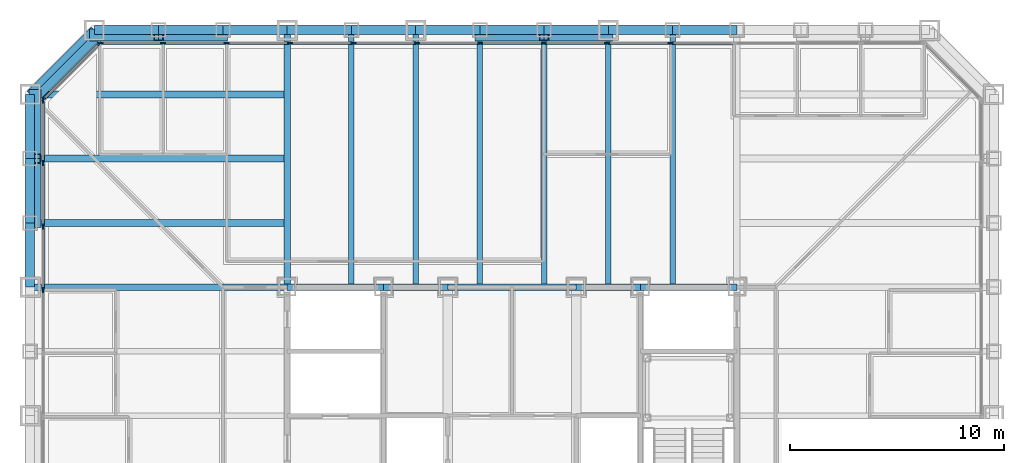
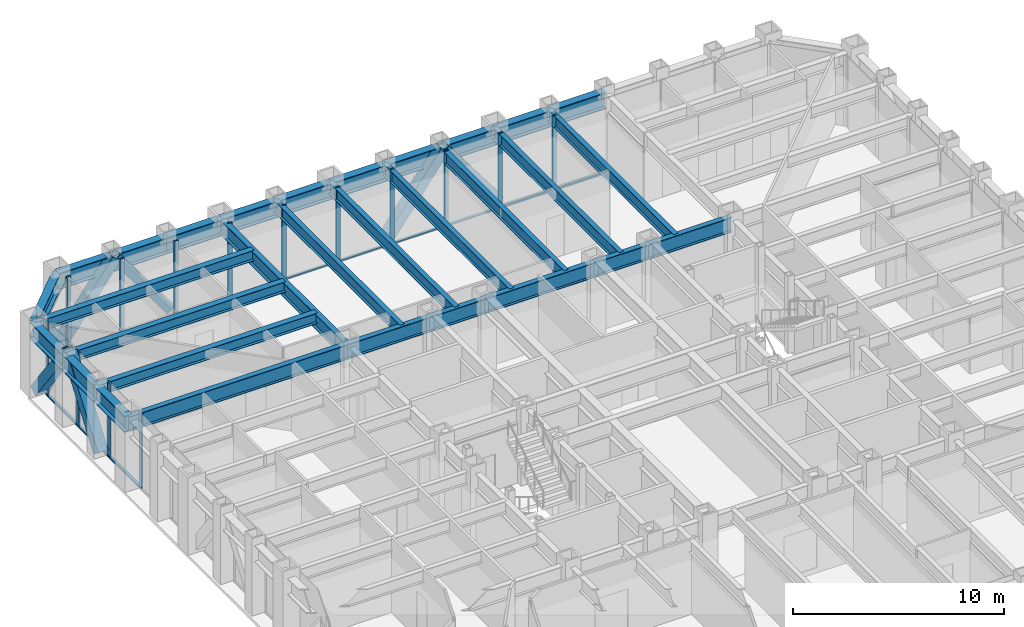
# One storey, part 5 of 17: 37 members, 30 beams, 3 elements without a shape of their own.
"""IFC4 building model written with IfcOpenShell, lengths in metres."""

from ifc_helpers import new_model, si_unit, direction, frame, origin, origin_2d, place, context, subcontext, project, spatial, rectangle, hollow_rectangle, i_section, extrude, material, layer, layer_set, material_profile, profile_set, type_object, element, aggregate, save


model = new_model("IFC4")

# Units and contexts
model_context = context("Model", 3, precision=1e-05, world=origin(), true_north=direction((0.0, 1.0)))
body_context = subcontext(model_context, "Body", "Model", "MODEL_VIEW")
ifc_project = project(units=[si_unit("LENGTHUNIT", "METRE"), si_unit("AREAUNIT", "SQUARE_METRE"), si_unit("VOLUMEUNIT", "CUBIC_METRE"), si_unit("PLANEANGLEUNIT", "RADIAN"), si_unit("MASSUNIT", "GRAM", prefix="KILO")], contexts=[model_context])

# Site, building, storey
site_placement = place(None, origin())
site = spatial("IfcSite", under=ifc_project, at=site_placement, CompositionType="ELEMENT")
building_placement = place(site_placement, origin())
building = spatial("IfcBuilding", under=site, at=building_placement, Name="Chuquiago Exchange Tower", CompositionType="ELEMENT")
storey_placement = place(building_placement, frame((0.0, 0.0, 64.800048828125)))
storey = spatial("IfcBuildingStorey", under=building, at=storey_placement, Name="L13", CompositionType="ELEMENT", Elevation=64.800048828125)

# Beams
ifc_material_1 = material(Name="Steel ASTM A992", Category="steel")
ifc_material_profile_1 = material_profile(ifc_material_1, i_section(OverallWidth=0.2919921875, OverallDepth=0.8583984375, WebThickness=0.01708984375, FlangeThickness=0.031005859375, at=origin_2d()), Name="W33X169")
ifc_profile_set_1 = profile_set([ifc_material_profile_1], Name="Steel ASTM A992")
beam_type_1 = type_object("IfcBeamType", Name="B3 W33X169", PredefinedType="BEAM", material=ifc_profile_set_1)
beam_1_placement = place(storey_placement, frame((12.0, 33.0, 3.610595703125), z_axis=(1.0, 0.0, 0.0), x_axis=(0.0, 1.0, 0.0)))
element("IfcBeam", 1, at=beam_1_placement, inside=storey, type_object=beam_type_1, Name="CB-L14-12_33-16.5_33", PredefinedType="BEAM", context=body_context, shape_type="SweptSolid", body=[
    extrude(i_section(OverallWidth=0.2919921875, OverallDepth=0.8583984375, WebThickness=0.01708984375, FlangeThickness=0.031005859375, at=origin_2d()), origin(), (0.0, 0.0, 1.0), 4.5),
])
beam_2_placement = place(storey_placement, frame((16.5, 33.0, 3.610595703125), z_axis=(1.0, 0.0, 0.0), x_axis=(0.0, 1.0, 0.0)))
element("IfcBeam", 2, at=beam_2_placement, inside=storey, type_object=beam_type_1, Name="CB-L14-16.5_33-19.5_33", PredefinedType="BEAM", context=body_context, shape_type="SweptSolid", body=[
    extrude(i_section(OverallWidth=0.2919921875, OverallDepth=0.8583984375, WebThickness=0.01708984375, FlangeThickness=0.031005859375, at=origin_2d()), origin(), (0.0, 0.0, 1.0), 3.0),
])
beam_3_placement = place(storey_placement, frame((19.5, 33.0, 3.610595703125), z_axis=(1.0, 0.0, 0.0), x_axis=(0.0, 1.0, 0.0)))
element("IfcBeam", 3, at=beam_3_placement, inside=storey, type_object=beam_type_1, Name="CB-L14-19.5_33-25.5_33", PredefinedType="BEAM", context=body_context, shape_type="SweptSolid", body=[
    extrude(i_section(OverallWidth=0.2919921875, OverallDepth=0.8583984375, WebThickness=0.01708984375, FlangeThickness=0.031005859375, at=origin_2d()), origin(), (0.0, 0.0, 1.0), 6.0),
])
beam_4_placement = place(storey_placement, frame((25.5, 33.0, 3.610595703125), z_axis=(1.0, 0.0, 0.0), x_axis=(0.0, 1.0, 0.0)))
element("IfcBeam", 4, at=beam_4_placement, inside=storey, type_object=beam_type_1, Name="CB-L14-25.5_33-28.5_33", PredefinedType="BEAM", context=body_context, shape_type="SweptSolid", body=[
    extrude(i_section(OverallWidth=0.2919921875, OverallDepth=0.8583984375, WebThickness=0.01708984375, FlangeThickness=0.031005859375, at=origin_2d()), origin(), (0.0, 0.0, 1.0), 3.0),
])
beam_5_placement = place(storey_placement, frame((28.5, 33.0, 3.610595703125), z_axis=(1.0, 0.0, 0.0), x_axis=(0.0, 1.0, 0.0)))
element("IfcBeam", 5, at=beam_5_placement, inside=storey, type_object=beam_type_1, Name="CB-L14-28.5_33-33_33", PredefinedType="BEAM", context=body_context, shape_type="SweptSolid", body=[
    extrude(i_section(OverallWidth=0.2919921875, OverallDepth=0.8583984375, WebThickness=0.01708984375, FlangeThickness=0.031005859375, at=origin_2d()), origin(), (0.0, 0.0, 1.0), 4.5),
])
ifc_material_2 = material(Name="Steel ASTM A992", Category="steel")
ifc_material_profile_2 = material_profile(ifc_material_2, i_section(OverallWidth=0.256591796875, OverallDepth=0.693359375, WebThickness=0.014404296875, FlangeThickness=0.023681640625, at=origin_2d()), Name="W27X114")
ifc_profile_set_2 = profile_set([ifc_material_profile_2], Name="Steel ASTM A992")
beam_type_2 = type_object("IfcBeamType", Name="B4 W27X114", PredefinedType="BEAM", material=ifc_profile_set_2)
for number, where, z_axis, x_axis, name in (
    (6, (15.0, 33.0, 3.693359375), (0.0, 1.0, 0.0), (-1.0, 0.0, 0.0), "FB-L14-infill-15_33-15_45-0"),
    (7, (18.0, 33.0, 3.693359375), (0.0, 1.0, 0.0), (-1.0, 0.0, 0.0), "FB-L14-infill-18_33-18_45-0"),
    (8, (21.0, 33.0, 3.693359375), (0.0, 1.0, 0.0), (-1.0, 0.0, 0.0), "FB-L14-infill-21_33-21_45-0"),
    (9, (24.0, 33.0, 3.693359375), (0.0, 1.0, 0.0), (-1.0, 0.0, 0.0), "FB-L14-infill-24_33-24_45-0"),
    (10, (27.0, 33.0, 3.693359375), (0.0, 1.0, 0.0), (-1.0, 0.0, 0.0), "FB-L14-infill-27_33-27_45-0"),
    (11, (30.0, 33.0, 3.693359375), (0.0, 1.0, 0.0), (-1.0, 0.0, 0.0), "FB-L14-infill-30_33-30_45-0"),
):
    element("IfcBeam", number, at=place(storey_placement, frame(where, z_axis=z_axis, x_axis=x_axis)), inside=storey, type_object=beam_type_2, Name=name, PredefinedType="BEAM", context=body_context, shape_type="SweptSolid", body=[
        extrude(i_section(OverallWidth=0.256591796875, OverallDepth=0.693359375, WebThickness=0.014404296875, FlangeThickness=0.023681640625, at=origin_2d()), origin(), (0.0, 0.0, 1.0), 12.0),
    ])
ifc_material_3 = material(Name="Steel ASTM A992", Category="steel")
ifc_material_profile_3 = material_profile(ifc_material_3, i_section(OverallWidth=0.3251953125, OverallDepth=0.6171875, WebThickness=0.013916015625, FlangeThickness=0.021484375, at=origin_2d()), Name="W24X117")
ifc_profile_set_3 = profile_set([ifc_material_profile_3], Name="Steel ASTM A992")
beam_type_3 = type_object("IfcBeamType", Name="B5 W24X117", PredefinedType="BEAM", material=ifc_profile_set_3)
for number, where, z_axis, x_axis, name in (
    (12, (12.0, 36.0, 3.7314453125), (-1.0, 0.0, 0.0), (0.0, -1.0, 0.0), "FB-L14-corner-12_36--0_36-0"),
    (13, (12.0, 39.0, 3.7314453125), (-1.0, 0.0, 0.0), (0.0, -1.0, 0.0), "FB-L14-corner-12_39--0_39-0"),
    (14, (12.0, 42.0, 3.7314453125), (-1.0, 0.0, 0.0), (0.0, -1.0, 0.0), "FB-L14-corner-12_42--0_42-0"),
):
    element("IfcBeam", number, at=place(storey_placement, frame(where, z_axis=z_axis, x_axis=x_axis)), inside=storey, type_object=beam_type_3, Name=name, PredefinedType="BEAM", context=body_context, shape_type="SweptSolid", body=[
        extrude(i_section(OverallWidth=0.3251953125, OverallDepth=0.6171875, WebThickness=0.013916015625, FlangeThickness=0.021484375, at=origin_2d()), origin(), (0.0, 0.0, 1.0), 12.0),
    ])

# Curtain wall, members
ifc_material_4 = material(Name="Aluminium curtain wall system", Category="aluminium")
ifc_layer_1 = layer(ifc_material_4, 0.25)
ifc_layer_set_1 = layer_set([ifc_layer_1], Name="CW1 trading floor curtain wall")
curtain_wall_type_1 = type_object("IfcCurtainWallType", Name="CW1 trading floor curtain wall", PredefinedType="NOTDEFINED", material=ifc_layer_set_1)
curtain_wall_1_placement = place(storey_placement, origin())
curtain_wall_1 = element("IfcCurtainWall", 15, at=curtain_wall_1_placement, inside=storey, type_object=curtain_wall_type_1, Name="CW1 curtain wall L13", PredefinedType="NOTDEFINED")
ifc_material_5 = material(Name="Aluminium mullion, pale anodised", Category="aluminium")
ifc_material_profile_4 = material_profile(ifc_material_5, rectangle(XDim=0.074951171875, YDim=0.25, at=origin_2d()), Name="AL 75x250")
ifc_profile_set_4 = profile_set([ifc_material_profile_4], Name="Aluminium mullion, pale anodised")
member_type_1 = type_object("IfcMemberType", Name="CW1-M mullion 75x250", PredefinedType="MULLION", material=ifc_profile_set_4)
member_1_placement = place(storey_placement, frame((29.904541015625, 44.39990234375, -0.300048828125), z_axis=(0.0, 0.0, 1.0), x_axis=(0.0, -1.0, 0.0)))
member_1 = element("IfcMember", 16, at=member_1_placement, type_object=member_type_1, Name="CW1 mullion 5", PredefinedType="MULLION", context=body_context, shape_type="SweptSolid", body=[
    extrude(rectangle(XDim=0.074951171875, YDim=0.25, at=origin_2d()), origin(), (0.0, 0.0, 1.0), 4.340087890625),
])
member_2_placement = place(storey_placement, frame((26.942626953125, 44.39990234375, -0.300048828125), z_axis=(0.0, 0.0, 1.0), x_axis=(0.0, -1.0, 0.0)))
member_2 = element("IfcMember", 17, at=member_2_placement, type_object=member_type_1, Name="CW1 mullion 6", PredefinedType="MULLION", context=body_context, shape_type="SweptSolid", body=[
    extrude(rectangle(XDim=0.074951171875, YDim=0.25, at=origin_2d()), origin(), (0.0, 0.0, 1.0), 4.340087890625),
])
member_3_placement = place(storey_placement, frame((23.98095703125, 44.39990234375, -0.300048828125), z_axis=(0.0, 0.0, 1.0), x_axis=(0.0, -1.0, 0.0)))
member_3 = element("IfcMember", 18, at=member_3_placement, type_object=member_type_1, Name="CW1 mullion 7", PredefinedType="MULLION", context=body_context, shape_type="SweptSolid", body=[
    extrude(rectangle(XDim=0.074951171875, YDim=0.25, at=origin_2d()), origin(), (0.0, 0.0, 1.0), 4.340087890625),
])
member_4_placement = place(storey_placement, frame((21.01904296875, 44.39990234375, -0.300048828125), z_axis=(0.0, 0.0, 1.0), x_axis=(0.0, -1.0, 0.0)))
member_4 = element("IfcMember", 19, at=member_4_placement, type_object=member_type_1, Name="CW1 mullion 8", PredefinedType="MULLION", context=body_context, shape_type="SweptSolid", body=[
    extrude(rectangle(XDim=0.074951171875, YDim=0.25, at=origin_2d()), origin(), (0.0, 0.0, 1.0), 4.340087890625),
])
member_5_placement = place(storey_placement, frame((18.057373046875, 44.39990234375, -0.300048828125), z_axis=(0.0, 0.0, 1.0), x_axis=(0.0, -1.0, 0.0)))
member_5 = element("IfcMember", 20, at=member_5_placement, type_object=member_type_1, Name="CW1 mullion 9", PredefinedType="MULLION", context=body_context, shape_type="SweptSolid", body=[
    extrude(rectangle(XDim=0.074951171875, YDim=0.25, at=origin_2d()), origin(), (0.0, 0.0, 1.0), 4.340087890625),
])
member_6_placement = place(storey_placement, frame((15.095458984375, 44.39990234375, -0.300048828125), z_axis=(0.0, 0.0, 1.0), x_axis=(0.0, -1.0, 0.0)))
member_6 = element("IfcMember", 21, at=member_6_placement, type_object=member_type_1, Name="CW1 mullion 10", PredefinedType="MULLION", context=body_context, shape_type="SweptSolid", body=[
    extrude(rectangle(XDim=0.074951171875, YDim=0.25, at=origin_2d()), origin(), (0.0, 0.0, 1.0), 4.340087890625),
])
member_7_placement = place(storey_placement, frame((12.1337890625, 44.39990234375, -0.300048828125), z_axis=(0.0, 0.0, 1.0), x_axis=(0.0, -1.0, 0.0)))
member_7 = element("IfcMember", 22, at=member_7_placement, type_object=member_type_1, Name="CW1 mullion 11", PredefinedType="MULLION", context=body_context, shape_type="SweptSolid", body=[
    extrude(rectangle(XDim=0.074951171875, YDim=0.25, at=origin_2d()), origin(), (0.0, 0.0, 1.0), 4.340087890625),
])
member_8_placement = place(storey_placement, frame((9.172119140625, 44.39990234375, -0.300048828125), z_axis=(0.0, 0.0, 1.0), x_axis=(0.0, -1.0, 0.0)))
member_8 = element("IfcMember", 23, at=member_8_placement, type_object=member_type_1, Name="CW1 mullion 12", PredefinedType="MULLION", context=body_context, shape_type="SweptSolid", body=[
    extrude(rectangle(XDim=0.074951171875, YDim=0.25, at=origin_2d()), origin(), (0.0, 0.0, 1.0), 4.340087890625),
])
member_9_placement = place(storey_placement, frame((6.210205078125, 44.39990234375, -0.300048828125), z_axis=(0.0, 0.0, 1.0), x_axis=(0.0, -1.0, 0.0)))
member_9 = element("IfcMember", 24, at=member_9_placement, type_object=member_type_1, Name="CW1 mullion 13", PredefinedType="MULLION", context=body_context, shape_type="SweptSolid", body=[
    extrude(rectangle(XDim=0.074951171875, YDim=0.25, at=origin_2d()), origin(), (0.0, 0.0, 1.0), 4.340087890625),
])
member_10_placement = place(storey_placement, frame((3.285888671875, 44.39990234375, -0.300048828125), z_axis=(0.0, 0.0, 1.0), x_axis=(0.0, -1.0, 0.0)))
member_10 = element("IfcMember", 25, at=member_10_placement, type_object=member_type_1, Name="CW1 mullion 14", PredefinedType="MULLION", context=body_context, shape_type="SweptSolid", body=[
    extrude(rectangle(XDim=0.074951171875, YDim=0.25, at=origin_2d()), origin(), (0.0, 0.0, 1.0), 4.340087890625),
])

curtain_wall_2_placement = place(storey_placement, origin())
curtain_wall_2 = element("IfcCurtainWall", 26, at=curtain_wall_2_placement, inside=storey, type_object=curtain_wall_type_1, Name="CW1 curtain wall L13", PredefinedType="NOTDEFINED")
member_11_placement = place(storey_placement, frame((0.60009765625, 41.714111328125, -0.300048828125), z_axis=(0.0, 0.0, 1.0), x_axis=(1.0, 0.0, 0.0)))
member_11 = element("IfcMember", 27, at=member_11_placement, type_object=member_type_1, Name="CW1 mullion 1", PredefinedType="MULLION", context=body_context, shape_type="SweptSolid", body=[
    extrude(rectangle(XDim=0.074951171875, YDim=0.25, at=origin_2d()), origin(), (0.0, 0.0, 1.0), 4.340087890625),
])
member_12_placement = place(storey_placement, frame((0.60009765625, 38.789794921875, -0.300048828125), z_axis=(0.0, 0.0, 1.0), x_axis=(1.0, 0.0, 0.0)))
member_12 = element("IfcMember", 28, at=member_12_placement, type_object=member_type_1, Name="CW1 mullion 2", PredefinedType="MULLION", context=body_context, shape_type="SweptSolid", body=[
    extrude(rectangle(XDim=0.074951171875, YDim=0.25, at=origin_2d()), origin(), (0.0, 0.0, 1.0), 4.340087890625),
])
member_13_placement = place(storey_placement, frame((0.60009765625, 35.827880859375, -0.300048828125), z_axis=(0.0, 0.0, 1.0), x_axis=(1.0, 0.0, 0.0)))
member_13 = element("IfcMember", 29, at=member_13_placement, type_object=member_type_1, Name="CW1 mullion 3", PredefinedType="MULLION", context=body_context, shape_type="SweptSolid", body=[
    extrude(rectangle(XDim=0.074951171875, YDim=0.25, at=origin_2d()), origin(), (0.0, 0.0, 1.0), 4.340087890625),
])
member_14_placement = place(storey_placement, frame((0.60009765625, 32.8662109375, -0.300048828125), z_axis=(0.0, 0.0, 1.0), x_axis=(1.0, 0.0, 0.0)))
member_14 = element("IfcMember", 30, at=member_14_placement, type_object=member_type_1, Name="CW1 mullion 4", PredefinedType="MULLION", context=body_context, shape_type="SweptSolid", body=[
    extrude(rectangle(XDim=0.074951171875, YDim=0.25, at=origin_2d()), origin(), (0.0, 0.0, 1.0), 4.340087890625),
])

# Member
ifc_material_6 = material(Name="Aluminium transom, pale anodised", Category="aluminium")
ifc_material_profile_5 = material_profile(ifc_material_6, rectangle(XDim=0.14990234375, YDim=0.074951171875, at=origin_2d()), Name="AL 150x75")
ifc_profile_set_5 = profile_set([ifc_material_profile_5], Name="Aluminium transom, pale anodised")
member_type_2 = type_object("IfcMemberType", Name="CW1-T transom 75x150", PredefinedType="MULLION", material=ifc_profile_set_5)
member_15_placement = place(storey_placement, frame((32.82861328125, 44.39990234375, -0.262451171875), z_axis=(-1.0, 0.0, 0.0), x_axis=(0.0, -1.0, 0.0)))
member_15 = element("IfcMember", 31, at=member_15_placement, type_object=member_type_2, Name="CW1 transom 4.1", PredefinedType="MULLION", context=body_context, shape_type="SweptSolid", body=[
    extrude(rectangle(XDim=0.14990234375, YDim=0.074951171875, at=origin_2d()), origin(), (0.0, 0.0, 1.0), 2.88671875),
])

member_16_placement = place(storey_placement, frame((29.866943359375, 44.39990234375, -0.262451171875), z_axis=(-1.0, 0.0, 0.0), x_axis=(0.0, -1.0, 0.0)))
member_16 = element("IfcMember", 32, at=member_16_placement, type_object=member_type_2, Name="CW1 transom 5.1", PredefinedType="MULLION", context=body_context, shape_type="SweptSolid", body=[
    extrude(rectangle(XDim=0.14990234375, YDim=0.074951171875, at=origin_2d()), origin(), (0.0, 0.0, 1.0), 2.88671875),
])

member_17_placement = place(storey_placement, frame((26.9052734375, 44.39990234375, -0.262451171875), z_axis=(-1.0, 0.0, 0.0), x_axis=(0.0, -1.0, 0.0)))
member_17 = element("IfcMember", 33, at=member_17_placement, type_object=member_type_2, Name="CW1 transom 6.1", PredefinedType="MULLION", context=body_context, shape_type="SweptSolid", body=[
    extrude(rectangle(XDim=0.14990234375, YDim=0.074951171875, at=origin_2d()), origin(), (0.0, 0.0, 1.0), 2.886962890625),
])

member_18_placement = place(storey_placement, frame((23.943359375, 44.39990234375, -0.262451171875), z_axis=(-1.0, 0.0, 0.0), x_axis=(0.0, -1.0, 0.0)))
member_18 = element("IfcMember", 34, at=member_18_placement, type_object=member_type_2, Name="CW1 transom 7.1", PredefinedType="MULLION", context=body_context, shape_type="SweptSolid", body=[
    extrude(rectangle(XDim=0.14990234375, YDim=0.074951171875, at=origin_2d()), origin(), (0.0, 0.0, 1.0), 2.88671875),
])

member_19_placement = place(storey_placement, frame((20.981689453125, 44.39990234375, -0.262451171875), z_axis=(-1.0, 0.0, 0.0), x_axis=(0.0, -1.0, 0.0)))
member_19 = element("IfcMember", 35, at=member_19_placement, type_object=member_type_2, Name="CW1 transom 8.1", PredefinedType="MULLION", context=body_context, shape_type="SweptSolid", body=[
    extrude(rectangle(XDim=0.14990234375, YDim=0.074951171875, at=origin_2d()), origin(), (0.0, 0.0, 1.0), 2.886962890625),
])

member_20_placement = place(storey_placement, frame((18.019775390625, 44.39990234375, -0.262451171875), z_axis=(-1.0, 0.0, 0.0), x_axis=(0.0, -1.0, 0.0)))
member_20 = element("IfcMember", 36, at=member_20_placement, type_object=member_type_2, Name="CW1 transom 9.1", PredefinedType="MULLION", context=body_context, shape_type="SweptSolid", body=[
    extrude(rectangle(XDim=0.14990234375, YDim=0.074951171875, at=origin_2d()), origin(), (0.0, 0.0, 1.0), 2.88671875),
])

member_21_placement = place(storey_placement, frame((15.05810546875, 44.39990234375, -0.262451171875), z_axis=(-1.0, 0.0, 0.0), x_axis=(0.0, -1.0, 0.0)))
member_21 = element("IfcMember", 37, at=member_21_placement, type_object=member_type_2, Name="CW1 transom 10.1", PredefinedType="MULLION", context=body_context, shape_type="SweptSolid", body=[
    extrude(rectangle(XDim=0.14990234375, YDim=0.074951171875, at=origin_2d()), origin(), (0.0, 0.0, 1.0), 2.88671875),
])

member_22_placement = place(storey_placement, frame((12.09619140625, 44.39990234375, -0.262451171875), z_axis=(-1.0, 0.0, 0.0), x_axis=(0.0, -1.0, 0.0)))
member_22 = element("IfcMember", 38, at=member_22_placement, type_object=member_type_2, Name="CW1 transom 11.1", PredefinedType="MULLION", context=body_context, shape_type="SweptSolid", body=[
    extrude(rectangle(XDim=0.14990234375, YDim=0.074951171875, at=origin_2d()), origin(), (0.0, 0.0, 1.0), 2.88671875),
])

member_23_placement = place(storey_placement, frame((9.134521484375, 44.39990234375, -0.262451171875), z_axis=(-1.0, 0.0, 0.0), x_axis=(0.0, -1.0, 0.0)))
member_23 = element("IfcMember", 39, at=member_23_placement, type_object=member_type_2, Name="CW1 transom 12.1", PredefinedType="MULLION", context=body_context, shape_type="SweptSolid", body=[
    extrude(rectangle(XDim=0.14990234375, YDim=0.074951171875, at=origin_2d()), origin(), (0.0, 0.0, 1.0), 2.88671875),
])

member_24_placement = place(storey_placement, frame((6.1728515625, 44.39990234375, -0.262451171875), z_axis=(-1.0, 0.0, 0.0), x_axis=(0.0, -1.0, 0.0)))
member_24 = element("IfcMember", 40, at=member_24_placement, type_object=member_type_2, Name="CW1 transom 13.1", PredefinedType="MULLION", context=body_context, shape_type="SweptSolid", body=[
    extrude(rectangle(XDim=0.14990234375, YDim=0.074951171875, at=origin_2d()), origin(), (0.0, 0.0, 1.0), 2.849365234375),
])

aggregate(curtain_wall_1, [member_1, member_2, member_3, member_4, member_5, member_6, member_7, member_8, member_9, member_10, member_15, member_16, member_17, member_18, member_19, member_20, member_21, member_22, member_23, member_24])

member_25_placement = place(storey_placement, frame((0.60009765625, 41.676513671875, -0.262451171875), z_axis=(0.0, -1.0, 0.0), x_axis=(1.0, 0.0, 0.0)))
member_25 = element("IfcMember", 41, at=member_25_placement, type_object=member_type_2, Name="CW1 transom 1.1", PredefinedType="MULLION", context=body_context, shape_type="SweptSolid", body=[
    extrude(rectangle(XDim=0.14990234375, YDim=0.074951171875, at=origin_2d()), origin(), (0.0, 0.0, 1.0), 2.849365234375),
])

member_26_placement = place(storey_placement, frame((0.60009765625, 38.752197265625, -0.262451171875), z_axis=(0.0, -1.0, 0.0), x_axis=(1.0, 0.0, 0.0)))
member_26 = element("IfcMember", 42, at=member_26_placement, type_object=member_type_2, Name="CW1 transom 2.1", PredefinedType="MULLION", context=body_context, shape_type="SweptSolid", body=[
    extrude(rectangle(XDim=0.14990234375, YDim=0.074951171875, at=origin_2d()), origin(), (0.0, 0.0, 1.0), 2.88671875),
])

member_27_placement = place(storey_placement, frame((0.60009765625, 35.79052734375, -0.262451171875), z_axis=(0.0, -1.0, 0.0), x_axis=(1.0, 0.0, 0.0)))
member_27 = element("IfcMember", 43, at=member_27_placement, type_object=member_type_2, Name="CW1 transom 3.1", PredefinedType="MULLION", context=body_context, shape_type="SweptSolid", body=[
    extrude(rectangle(XDim=0.14990234375, YDim=0.074951171875, at=origin_2d()), origin(), (0.0, 0.0, 1.0), 2.88671875),
])

aggregate(curtain_wall_2, [member_11, member_12, member_13, member_14, member_25, member_26, member_27])

# Curtain wall, members
ifc_material_7 = material(Name="Aluminium curtain wall system", Category="aluminium")
ifc_layer_2 = layer(ifc_material_7, 0.199951171875)
ifc_layer_set_2 = layer_set([ifc_layer_2], Name="CW3 facet curtain wall")
curtain_wall_type_2 = type_object("IfcCurtainWallType", Name="CW3 facet curtain wall", PredefinedType="NOTDEFINED", material=ifc_layer_set_2)
curtain_wall_3_placement = place(storey_placement, origin())
curtain_wall_3 = element("IfcCurtainWall", 44, at=curtain_wall_3_placement, inside=storey, type_object=curtain_wall_type_2, Name="CW3 curtain wall L13", PredefinedType="NOTDEFINED")
ifc_material_8 = material(Name="Aluminium mullion, pale anodised", Category="aluminium")
ifc_material_profile_6 = material_profile(ifc_material_8, rectangle(XDim=0.06494140625, YDim=0.199951171875, at=origin_2d()), Name="AL 65x200")
ifc_profile_set_6 = profile_set([ifc_material_profile_6], Name="Aluminium mullion, pale anodised")
member_type_3 = type_object("IfcMemberType", Name="CW3-M mullion 65x200", PredefinedType="MULLION", material=ifc_profile_set_6)
member_28_placement = place(storey_placement, frame((3.2255859375, 44.376953125, -0.300048828125), z_axis=(0.0, 0.0, 1.0), x_axis=(0.707106781187, -0.707106781187, 0.0)))
member_28 = element("IfcMember", 45, at=member_28_placement, type_object=member_type_3, Name="CW3 mullion 1", PredefinedType="MULLION", context=body_context, shape_type="SweptSolid", body=[
    extrude(rectangle(XDim=0.06494140625, YDim=0.199951171875, at=origin_2d()), origin(), (0.0, 0.0, 1.0), 4.340087890625),
])
member_29_placement = place(storey_placement, frame((0.623046875, 41.7744140625, -0.300048828125), z_axis=(0.0, 0.0, 1.0), x_axis=(0.707106781187, -0.707106781187, 0.0)))
member_29 = element("IfcMember", 46, at=member_29_placement, type_object=member_type_3, Name="CW3 mullion 2", PredefinedType="MULLION", context=body_context, shape_type="SweptSolid", body=[
    extrude(rectangle(XDim=0.06494140625, YDim=0.199951171875, at=origin_2d()), origin(), (0.0, 0.0, 1.0), 4.340087890625),
])
ifc_material_9 = material(Name="Aluminium transom, pale anodised", Category="aluminium")
ifc_material_profile_7 = material_profile(ifc_material_9, rectangle(XDim=0.139892578125, YDim=0.06494140625, at=origin_2d()), Name="AL 140x65")
ifc_profile_set_7 = profile_set([ifc_material_profile_7], Name="Aluminium transom, pale anodised")
member_type_4 = type_object("IfcMemberType", Name="CW3-T transom 65x140", PredefinedType="MULLION", material=ifc_profile_set_7)
member_30_placement = place(storey_placement, frame((3.20263671875, 44.35400390625, -0.267578125), z_axis=(-0.707106781187, -0.707106781187, 0.0), x_axis=(0.707106781187, -0.707106781187, 0.0)))
member_30 = element("IfcMember", 47, at=member_30_placement, type_object=member_type_4, Name="CW3 transom 1.1", PredefinedType="MULLION", context=body_context, shape_type="SweptSolid", body=[
    extrude(rectangle(XDim=0.139892578125, YDim=0.06494140625, at=origin_2d()), origin(), (0.0, 0.0, 1.0), 3.61572265625),
])
aggregate(curtain_wall_3, [member_28, member_29, member_30])

# Beams
ifc_material_10 = material(Name="Steel ASTM A992", Category="steel")
ifc_material_profile_8 = material_profile(ifc_material_10, i_section(OverallWidth=0.2919921875, OverallDepth=0.8583984375, WebThickness=0.01708984375, FlangeThickness=0.031005859375, at=origin_2d()), Name="W33X169")
ifc_profile_set_8 = profile_set([ifc_material_profile_8], Name="Steel ASTM A992")
beam_type_4 = type_object("IfcBeamType", Name="G2 W33X169", PredefinedType="BEAM", material=ifc_profile_set_8)
for number, where, z_axis, x_axis, name in (
    (48, (12.0, 33.0, 3.610595703125), (0.0, 1.0, 0.0), (-1.0, 0.0, 0.0), "FB-L14-girder-12_33-12_45-0"),
    (49, (12.0, 33.0, 3.610595703125), (-1.0, 0.0, 0.0), (0.0, -1.0, 0.0), "FB-L14-girder-12_33--0_33-0"),
):
    element("IfcBeam", number, at=place(storey_placement, frame(where, z_axis=z_axis, x_axis=x_axis)), inside=storey, type_object=beam_type_4, Name=name, PredefinedType="BEAM", context=body_context, shape_type="SweptSolid", body=[
        extrude(i_section(OverallWidth=0.2919921875, OverallDepth=0.8583984375, WebThickness=0.01708984375, FlangeThickness=0.031005859375, at=origin_2d()), origin(), (0.0, 0.0, 1.0), 12.0),
    ])

# Members
ifc_material_11 = material(Name="Steel ASTM A500 Grade C", Category="steel")
ifc_material_profile_9 = material_profile(ifc_material_11, hollow_rectangle(XDim=0.406494140625, YDim=0.406494140625, WallThickness=0.0146484375, at=origin_2d()), Name="HSS16X16X5/8")
ifc_profile_set_9 = profile_set([ifc_material_profile_9], Name="Steel ASTM A500 Grade C")
member_type_5 = type_object("IfcMemberType", Name="LB4 HSS16X16X5/8", PredefinedType="BRACE", material=ifc_profile_set_9)
member_31_placement = place(storey_placement, frame((3.21337890625, 44.78662109375, 0.0), z_axis=(-0.512077265487, -0.512077265487, 0.689604051861), x_axis=(0.707106781187, -0.707106781187, 0.0)))
element("IfcMember", 50, at=member_31_placement, inside=storey, type_object=member_type_5, Name="LB-L13-3_45-0_42", PredefinedType="BRACE", context=body_context, shape_type="SweptSolid", body=[
    extrude(hollow_rectangle(XDim=0.406494140625, YDim=0.406494140625, WallThickness=0.0146484375, at=origin_2d()), origin(), (0.0, 0.0, 1.0), 5.8583984375),
])
ifc_material_12 = material(Name="Steel ASTM A572 Grade 50", Category="steel")
ifc_material_profile_10 = material_profile(ifc_material_12, hollow_rectangle(XDim=0.550048828125, YDim=0.550048828125, WallThickness=0.044921875, at=origin_2d()), Name="BOX550X550X45")
ifc_profile_set_10 = profile_set([ifc_material_profile_10], Name="Steel ASTM A572 Grade 50")
member_type_6 = type_object("IfcMemberType", Name="MB1 BOX550X550X45", PredefinedType="BRACE", material=ifc_profile_set_10)
for number, where, z_axis, x_axis, name in (
    (51, (27.0, 44.77001953125, 0.0), (-0.596173923302, 0.0, 0.802855312728), (0.0, -1.0, 0.0), "Mega diagonal L13 N face"),
    (52, (21.0, 44.77001953125, 0.0), (0.596173923302, 0.0, 0.802855312728), (0.0, 1.0, 0.0), "Mega diagonal L13 N face"),
    (53, (9.0, 44.77001953125, 0.0), (-0.596173923302, 0.0, 0.802855312728), (0.0, -1.0, 0.0), "Mega diagonal L13 N face"),
    (54, (3.0, 44.77001953125, 0.0), (0.596173923302, 0.0, 0.802855312728), (0.0, 1.0, 0.0), "Mega diagonal L13 N face"),
    (55, (0.22998046875, 42.0, 0.0), (0.0, -0.596173923302, 0.802855312728), (1.0, 0.0, 0.0), "Mega diagonal L13 W face"),
    (56, (0.22998046875, 36.0, 0.0), (0.0, 0.596173923302, 0.802855312728), (-1.0, 0.0, 0.0), "Mega diagonal L13 W face"),
):
    element("IfcMember", number, at=place(storey_placement, frame(where, z_axis=z_axis, x_axis=x_axis)), inside=storey, type_object=member_type_6, Name=name, PredefinedType="BRACE", context=body_context, shape_type="SweptSolid", body=[
        extrude(hollow_rectangle(XDim=0.550048828125, YDim=0.550048828125, WallThickness=0.044921875, at=origin_2d()), origin(), (0.0, 0.0, 1.0), 5.031982421875),
    ])

# Beams
ifc_material_13 = material(Name="Steel ASTM A992", Category="steel")
ifc_material_profile_11 = material_profile(ifc_material_13, i_section(OverallWidth=0.424072265625, OverallDepth=0.947509765625, WebThickness=0.02392578125, FlangeThickness=0.042724609375, at=origin_2d()), Name="W36X302")
ifc_profile_set_11 = profile_set([ifc_material_profile_11], Name="Steel ASTM A992")
beam_type_5 = type_object("IfcBeamType", Name="SP1 W36X302", PredefinedType="SPANDREL", material=ifc_profile_set_11)
for number, where, z_axis, x_axis, name in (
    (57, (33.0, 45.0, 3.566162109375), (-1.0, 0.0, 0.0), (0.0, -1.0, 0.0), "SPB-L14-33_45-30_45"),
    (58, (30.0, 45.0, 3.566162109375), (-1.0, 0.0, 0.0), (0.0, -1.0, 0.0), "SPB-L14-30_45-27_45"),
    (59, (27.0, 45.0, 3.566162109375), (-1.0, 0.0, 0.0), (0.0, -1.0, 0.0), "SPB-L14-27_45-24_45"),
    (60, (24.0, 45.0, 3.566162109375), (-1.0, 0.0, 0.0), (0.0, -1.0, 0.0), "SPB-L14-24_45-21_45"),
    (61, (21.0, 45.0, 3.566162109375), (-1.0, 0.0, 0.0), (0.0, -1.0, 0.0), "SPB-L14-21_45-18_45"),
    (62, (18.0, 45.0, 3.566162109375), (-1.0, 0.0, 0.0), (0.0, -1.0, 0.0), "SPB-L14-18_45-15_45"),
    (63, (15.0, 45.0, 3.566162109375), (-1.0, 0.0, 0.0), (0.0, -1.0, 0.0), "SPB-L14-15_45-12_45"),
    (64, (12.0, 45.0, 3.566162109375), (-1.0, 0.0, 0.0), (0.0, -1.0, 0.0), "SPB-L14-12_45-9_45"),
    (65, (9.0, 45.0, 3.566162109375), (-1.0, 0.0, 0.0), (0.0, -1.0, 0.0), "SPB-L14-9_45-6_45"),
    (66, (6.0, 45.0, 3.566162109375), (-1.0, 0.0, 0.0), (0.0, -1.0, 0.0), "SPB-L14-6_45-3_45"),
):
    element("IfcBeam", number, at=place(storey_placement, frame(where, z_axis=z_axis, x_axis=x_axis)), inside=storey, type_object=beam_type_5, Name=name, PredefinedType="SPANDREL", context=body_context, shape_type="SweptSolid", body=[
        extrude(i_section(OverallWidth=0.424072265625, OverallDepth=0.947509765625, WebThickness=0.02392578125, FlangeThickness=0.042724609375, at=origin_2d()), origin(), (0.0, 0.0, 1.0), 3.0),
    ])
beam_6_placement = place(storey_placement, frame((3.0, 45.0, 3.566162109375), z_axis=(-0.707106781187, -0.707106781187, 0.0), x_axis=(0.707106781187, -0.707106781187, 0.0)))
element("IfcBeam", 67, at=beam_6_placement, inside=storey, type_object=beam_type_5, Name="SPB-L14-3_45-0_42", PredefinedType="SPANDREL", context=body_context, shape_type="SweptSolid", body=[
    extrude(i_section(OverallWidth=0.424072265625, OverallDepth=0.947509765625, WebThickness=0.02392578125, FlangeThickness=0.042724609375, at=origin_2d()), origin(), (0.0, 0.0, 1.0), 4.24267578125),
])
for number, where, z_axis, x_axis, name in (
    (68, (0.0, 42.0, 3.566162109375), (0.0, -1.0, 0.0), (1.0, 0.0, 0.0), "SPB-L14-0_42-0_39"),
    (69, (0.0, 39.0, 3.566162109375), (0.0, -1.0, 0.0), (1.0, 0.0, 0.0), "SPB-L14-0_39-0_36"),
    (70, (0.0, 36.0, 3.566162109375), (0.0, -1.0, 0.0), (1.0, 0.0, 0.0), "SPB-L14-0_36-0_33"),
):
    element("IfcBeam", number, at=place(storey_placement, frame(where, z_axis=z_axis, x_axis=x_axis)), inside=storey, type_object=beam_type_5, Name=name, PredefinedType="SPANDREL", context=body_context, shape_type="SweptSolid", body=[
        extrude(i_section(OverallWidth=0.424072265625, OverallDepth=0.947509765625, WebThickness=0.02392578125, FlangeThickness=0.042724609375, at=origin_2d()), origin(), (0.0, 0.0, 1.0), 3.0),
    ])

save(model, "model.ifc")
